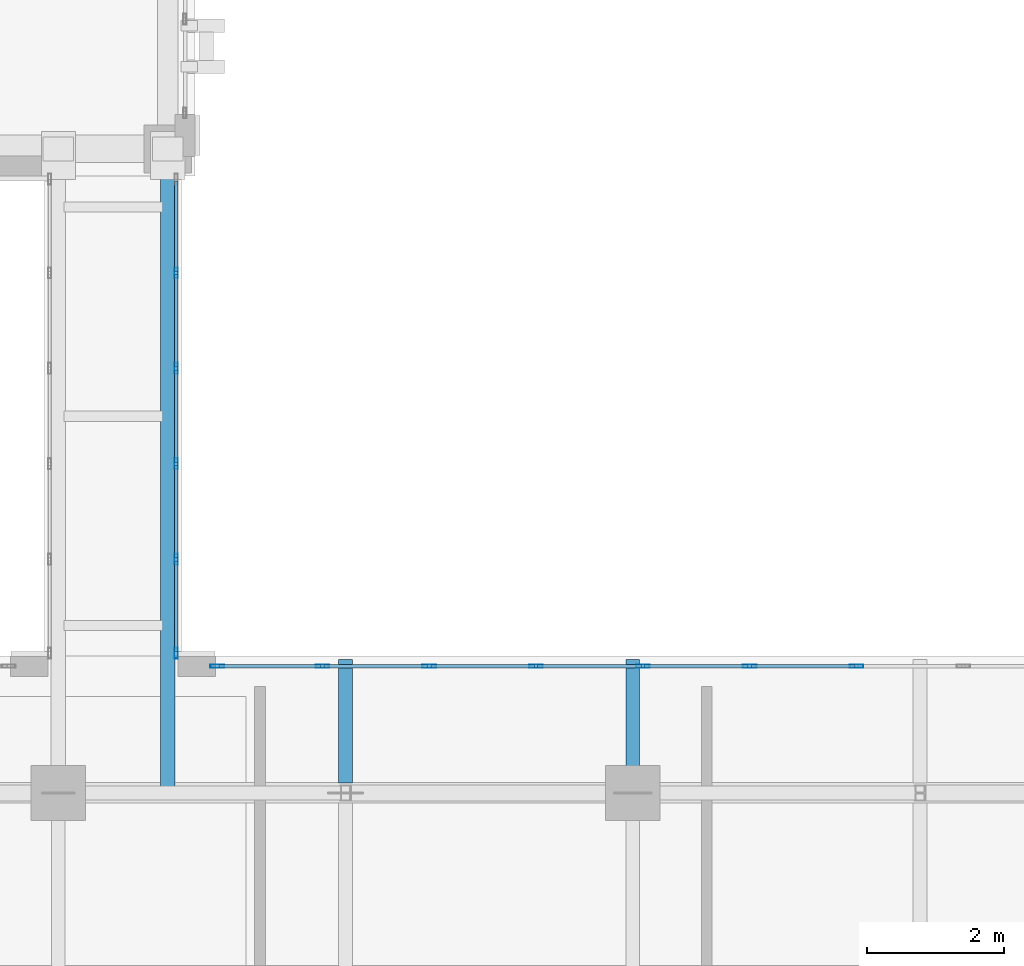
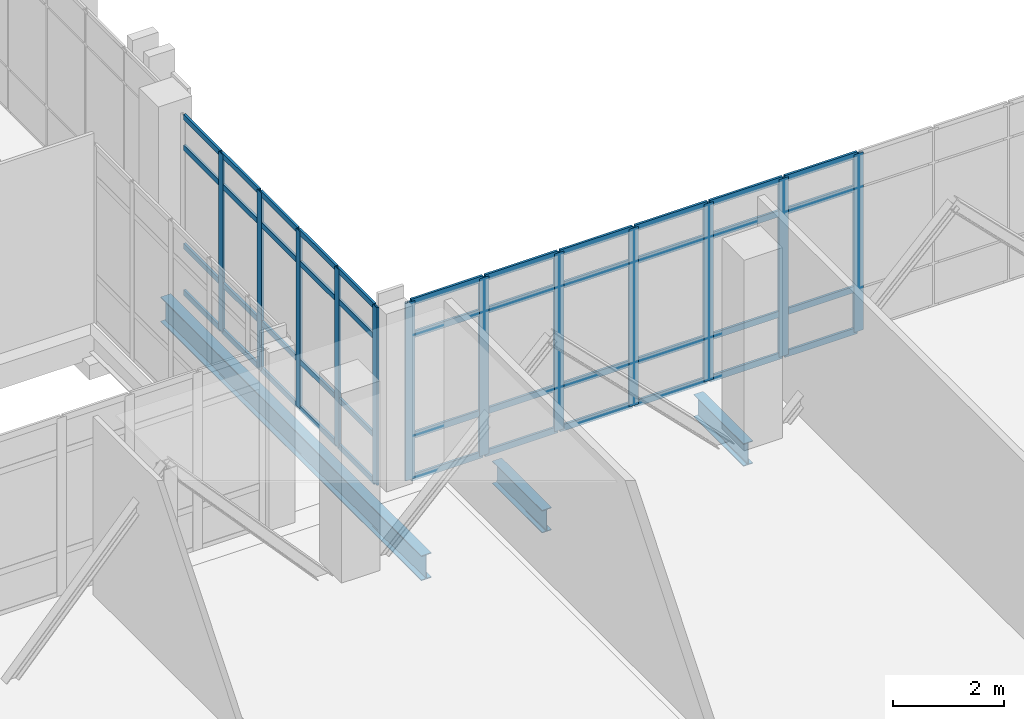
# One storey, part 24 of 165: 56 members, 3 beams, 2 elements without a shape of their own.
"""IFC4 building model written with IfcOpenShell, lengths in metres."""

from ifc_helpers import new_model, si_unit, direction, frame, origin, origin_2d, place, context, subcontext, project, spatial, hollow_rectangle, i_section, extrude, material, layer, layer_set, material_profile, profile_set, type_object, element, aggregate, save


model = new_model("IFC4")

# Units and contexts
model_context = context("Model", 3, precision=1e-05, world=origin(), true_north=direction((0.0, 1.0)))
body_context = subcontext(model_context, "Body", "Model", "MODEL_VIEW")
ifc_project = project(units=[si_unit("LENGTHUNIT", "METRE"), si_unit("AREAUNIT", "SQUARE_METRE"), si_unit("VOLUMEUNIT", "CUBIC_METRE"), si_unit("PLANEANGLEUNIT", "RADIAN"), si_unit("MASSUNIT", "GRAM", prefix="KILO")], contexts=[model_context])

# Site, building, storey
site_placement = place(None, origin())
site = spatial("IfcSite", under=ifc_project, at=site_placement, CompositionType="ELEMENT")
building_placement = place(site_placement, origin())
building = spatial("IfcBuilding", under=site, at=building_placement, Name="Qalavern Law Courts", CompositionType="ELEMENT")
storey_placement = place(building_placement, frame((0.0, 0.0, 14.39990234375)))
storey = spatial("IfcBuildingStorey", under=building, at=storey_placement, Name="L03", CompositionType="ELEMENT", Elevation=14.39990234375)

# Curtain wall, members
ifc_material_1 = material(Name="Anodised aluminium and insulated glazing", Category="aluminium")
ifc_layer_1 = layer(ifc_material_1, 0.14990234375)
ifc_layer_set_1 = layer_set([ifc_layer_1], Name="Anodised aluminium and insulated glazing")
curtain_wall_type_1 = type_object("IfcCurtainWallType", Name="ENV-CW-BRG", PredefinedType="USERDEFINED", material=ifc_layer_set_1)
curtain_wall_1_placement = place(storey_placement, origin())
curtain_wall_1 = element("IfcCurtainWall", 1, at=curtain_wall_1_placement, inside=storey, type_object=curtain_wall_type_1, Name="Bridge BR-V1-V3 glazed curtain wall L03-2", ObjectType="UNITISED CURTAIN WALL", PredefinedType="USERDEFINED")
ifc_material_2 = material(Name="Anodised aluminium", Category="aluminium")
ifc_material_profile_1 = material_profile(ifc_material_2, hollow_rectangle(XDim=0.048095703125, YDim=0.159912109375, WallThickness=0.00390625, at=origin_2d()), Name="ALU MULLION 48x160")
ifc_profile_set_1 = profile_set([ifc_material_profile_1], Name="Anodised aluminium")
member_type_1 = type_object("IfcMemberType", Name="ENV-CWM-48x160", PredefinedType="MULLION", material=ifc_profile_set_1)
member_1_placement = place(storey_placement, frame((18.52490234375, 34.0439453125, 0.0), z_axis=(0.0, 0.0, 1.0), x_axis=(-1.0, 0.0, 0.0)))
member_1 = element("IfcMember", 2, at=member_1_placement, type_object=member_type_1, Name="CW-06 mullion 1", PredefinedType="MULLION", context=body_context, shape_type="SweptSolid", body=[
    extrude(hollow_rectangle(XDim=0.048095703125, YDim=0.159912109375, WallThickness=0.00390625, at=origin_2d()), origin(), (0.0, 0.0, 1.0), 3.920166015625),
])
member_2_placement = place(storey_placement, frame((18.52490234375, 35.416015625, 0.0), z_axis=(0.0, 0.0, 1.0), x_axis=(-1.0, 0.0, 0.0)))
member_2 = element("IfcMember", 3, at=member_2_placement, type_object=member_type_1, Name="CW-06 mullion 2", PredefinedType="MULLION", context=body_context, shape_type="SweptSolid", body=[
    extrude(hollow_rectangle(XDim=0.048095703125, YDim=0.159912109375, WallThickness=0.00390625, at=origin_2d()), origin(), (0.0, 0.0, 1.0), 3.920166015625),
])
member_3_placement = place(storey_placement, frame((18.52490234375, 36.81201171875, 0.0), z_axis=(0.0, 0.0, 1.0), x_axis=(-1.0, 0.0, 0.0)))
member_3 = element("IfcMember", 4, at=member_3_placement, type_object=member_type_1, Name="CW-06 mullion 3", PredefinedType="MULLION", context=body_context, shape_type="SweptSolid", body=[
    extrude(hollow_rectangle(XDim=0.048095703125, YDim=0.159912109375, WallThickness=0.00390625, at=origin_2d()), origin(), (0.0, 0.0, 1.0), 3.920166015625),
])
member_4_placement = place(storey_placement, frame((18.52490234375, 38.2080078125, 0.0), z_axis=(0.0, 0.0, 1.0), x_axis=(-1.0, 0.0, 0.0)))
member_4 = element("IfcMember", 5, at=member_4_placement, type_object=member_type_1, Name="CW-06 mullion 4", PredefinedType="MULLION", context=body_context, shape_type="SweptSolid", body=[
    extrude(hollow_rectangle(XDim=0.048095703125, YDim=0.159912109375, WallThickness=0.00390625, at=origin_2d()), origin(), (0.0, 0.0, 1.0), 3.920166015625),
])
member_5_placement = place(storey_placement, frame((18.52490234375, 39.60400390625, 0.0), z_axis=(0.0, 0.0, 1.0), x_axis=(-1.0, 0.0, 0.0)))
member_5 = element("IfcMember", 6, at=member_5_placement, type_object=member_type_1, Name="CW-06 mullion 5", PredefinedType="MULLION", context=body_context, shape_type="SweptSolid", body=[
    extrude(hollow_rectangle(XDim=0.048095703125, YDim=0.159912109375, WallThickness=0.00390625, at=origin_2d()), origin(), (0.0, 0.0, 1.0), 3.920166015625),
])

ifc_layer_2 = layer(ifc_material_1, 0.199951171875)
ifc_layer_set_2 = layer_set([ifc_layer_2], Name="Anodised aluminium and insulated glazing")
curtain_wall_type_2 = type_object("IfcCurtainWallType", Name="ENV-CW-FOYER", PredefinedType="USERDEFINED", material=ifc_layer_set_2)
curtain_wall_2_placement = place(storey_placement, origin())
curtain_wall_2 = element("IfcCurtainWall", 7, at=curtain_wall_2_placement, inside=storey, type_object=curtain_wall_type_2, Name="V1 unitised curtain wall L03 north 1", ObjectType="UNITISED CURTAIN WALL", PredefinedType="USERDEFINED")
ifc_material_profile_2 = material_profile(ifc_material_2, hollow_rectangle(XDim=0.048095703125, YDim=0.199951171875, WallThickness=0.00439453125, at=origin_2d()), Name="ALU MULLION 48x200")
ifc_profile_set_2 = profile_set([ifc_material_profile_2], Name="Anodised aluminium")
member_type_2 = type_object("IfcMemberType", Name="ENV-CWM-48x200", PredefinedType="MULLION", material=ifc_profile_set_2)
member_6_placement = place(storey_placement, frame((28.473388671875, 33.8525390625, 0.0), z_axis=(0.0, 0.0, 1.0), x_axis=(0.0, -1.0, 0.0)))
member_6 = element("IfcMember", 8, at=member_6_placement, type_object=member_type_2, Name="CW-01 mullion 4", PredefinedType="MULLION", context=body_context, shape_type="SweptSolid", body=[
    extrude(hollow_rectangle(XDim=0.048095703125, YDim=0.199951171875, WallThickness=0.00439453125, at=origin_2d()), origin(), (0.0, 0.0, 1.0), 3.920166015625),
])
member_7_placement = place(storey_placement, frame((26.9111328125, 33.8525390625, 0.0), z_axis=(0.0, 0.0, 1.0), x_axis=(0.0, -1.0, 0.0)))
member_7 = element("IfcMember", 9, at=member_7_placement, type_object=member_type_2, Name="CW-01 mullion 5", PredefinedType="MULLION", context=body_context, shape_type="SweptSolid", body=[
    extrude(hollow_rectangle(XDim=0.048095703125, YDim=0.199951171875, WallThickness=0.00439453125, at=origin_2d()), origin(), (0.0, 0.0, 1.0), 3.920166015625),
])
member_8_placement = place(storey_placement, frame((25.348876953125, 33.8525390625, 0.0), z_axis=(0.0, 0.0, 1.0), x_axis=(0.0, -1.0, 0.0)))
member_8 = element("IfcMember", 10, at=member_8_placement, type_object=member_type_2, Name="CW-01 mullion 6", PredefinedType="MULLION", context=body_context, shape_type="SweptSolid", body=[
    extrude(hollow_rectangle(XDim=0.048095703125, YDim=0.199951171875, WallThickness=0.00439453125, at=origin_2d()), origin(), (0.0, 0.0, 1.0), 3.920166015625),
])
member_9_placement = place(storey_placement, frame((23.78662109375, 33.8525390625, 0.0), z_axis=(0.0, 0.0, 1.0), x_axis=(0.0, -1.0, 0.0)))
member_9 = element("IfcMember", 11, at=member_9_placement, type_object=member_type_2, Name="CW-01 mullion 7", PredefinedType="MULLION", context=body_context, shape_type="SweptSolid", body=[
    extrude(hollow_rectangle(XDim=0.048095703125, YDim=0.199951171875, WallThickness=0.00439453125, at=origin_2d()), origin(), (0.0, 0.0, 1.0), 3.920166015625),
])
member_10_placement = place(storey_placement, frame((22.224365234375, 33.8525390625, 0.0), z_axis=(0.0, 0.0, 1.0), x_axis=(0.0, -1.0, 0.0)))
member_10 = element("IfcMember", 12, at=member_10_placement, type_object=member_type_2, Name="CW-01 mullion 8", PredefinedType="MULLION", context=body_context, shape_type="SweptSolid", body=[
    extrude(hollow_rectangle(XDim=0.048095703125, YDim=0.199951171875, WallThickness=0.00439453125, at=origin_2d()), origin(), (0.0, 0.0, 1.0), 3.920166015625),
])
member_11_placement = place(storey_placement, frame((20.662109375, 33.8525390625, 0.0), z_axis=(0.0, 0.0, 1.0), x_axis=(0.0, -1.0, 0.0)))
member_11 = element("IfcMember", 13, at=member_11_placement, type_object=member_type_2, Name="CW-01 mullion 9", PredefinedType="MULLION", context=body_context, shape_type="SweptSolid", body=[
    extrude(hollow_rectangle(XDim=0.048095703125, YDim=0.199951171875, WallThickness=0.00439453125, at=origin_2d()), origin(), (0.0, 0.0, 1.0), 3.920166015625),
])
member_12_placement = place(storey_placement, frame((19.1240234375, 33.8525390625, 0.0), z_axis=(0.0, 0.0, 1.0), x_axis=(0.0, -1.0, 0.0)))
member_12 = element("IfcMember", 14, at=member_12_placement, type_object=member_type_2, Name="CW-01 mullion 10", PredefinedType="MULLION", context=body_context, shape_type="SweptSolid", body=[
    extrude(hollow_rectangle(XDim=0.048095703125, YDim=0.199951171875, WallThickness=0.00439453125, at=origin_2d()), origin(), (0.0, 0.0, 1.0), 3.920166015625),
])

# Member
ifc_material_profile_3 = material_profile(ifc_material_2, hollow_rectangle(XDim=0.048095703125, YDim=0.1201171875, WallThickness=0.00390625, at=origin_2d()), Name="ALU TRANSOM 48x120")
ifc_profile_set_3 = profile_set([ifc_material_profile_3], Name="Anodised aluminium")
member_type_3 = type_object("IfcMemberType", Name="ENV-CWT-48x120", PredefinedType="USERDEFINED", material=ifc_profile_set_3)
member_13_placement = place(storey_placement, frame((18.52490234375, 34.068115234375, 0.024169921875), z_axis=(0.0, 1.0, 0.0), x_axis=(-1.0, 0.0, 0.0)))
member_13 = element("IfcMember", 15, at=member_13_placement, type_object=member_type_3, Name="CW-06 transom 1.1", ObjectType="TRANSOM", PredefinedType="USERDEFINED", context=body_context, shape_type="SweptSolid", body=[
    extrude(hollow_rectangle(XDim=0.048095703125, YDim=0.1201171875, WallThickness=0.00390625, at=origin_2d()), origin(), (0.0, 0.0, 1.0), 1.323974609375),
])

member_14_placement = place(storey_placement, frame((18.52490234375, 34.068115234375, 1.050048828125), z_axis=(0.0, 1.0, 0.0), x_axis=(-1.0, 0.0, 0.0)))
member_14 = element("IfcMember", 16, at=member_14_placement, type_object=member_type_3, Name="CW-06 transom 1.2", ObjectType="TRANSOM", PredefinedType="USERDEFINED", context=body_context, shape_type="SweptSolid", body=[
    extrude(hollow_rectangle(XDim=0.048095703125, YDim=0.1201171875, WallThickness=0.00390625, at=origin_2d()), origin(), (0.0, 0.0, 1.0), 1.323974609375),
])

member_15_placement = place(storey_placement, frame((18.52490234375, 34.068115234375, 3.22021484375), z_axis=(0.0, 1.0, 0.0), x_axis=(-1.0, 0.0, 0.0)))
member_15 = element("IfcMember", 17, at=member_15_placement, type_object=member_type_3, Name="CW-06 transom 1.3", ObjectType="TRANSOM", PredefinedType="USERDEFINED", context=body_context, shape_type="SweptSolid", body=[
    extrude(hollow_rectangle(XDim=0.048095703125, YDim=0.1201171875, WallThickness=0.00390625, at=origin_2d()), origin(), (0.0, 0.0, 1.0), 1.323974609375),
])

member_16_placement = place(storey_placement, frame((18.52490234375, 34.068115234375, 3.89599609375), z_axis=(0.0, 1.0, 0.0), x_axis=(-1.0, 0.0, 0.0)))
member_16 = element("IfcMember", 18, at=member_16_placement, type_object=member_type_3, Name="CW-06 transom 1.4", ObjectType="TRANSOM", PredefinedType="USERDEFINED", context=body_context, shape_type="SweptSolid", body=[
    extrude(hollow_rectangle(XDim=0.048095703125, YDim=0.1201171875, WallThickness=0.00390625, at=origin_2d()), origin(), (0.0, 0.0, 1.0), 1.323974609375),
])

member_17_placement = place(storey_placement, frame((18.52490234375, 35.43994140625, 0.024169921875), z_axis=(0.0, 1.0, 0.0), x_axis=(-1.0, 0.0, 0.0)))
member_17 = element("IfcMember", 19, at=member_17_placement, type_object=member_type_3, Name="CW-06 transom 2.1", ObjectType="TRANSOM", PredefinedType="USERDEFINED", context=body_context, shape_type="SweptSolid", body=[
    extrude(hollow_rectangle(XDim=0.048095703125, YDim=0.1201171875, WallThickness=0.00390625, at=origin_2d()), origin(), (0.0, 0.0, 1.0), 1.34814453125),
])

member_18_placement = place(storey_placement, frame((18.52490234375, 35.43994140625, 1.050048828125), z_axis=(0.0, 1.0, 0.0), x_axis=(-1.0, 0.0, 0.0)))
member_18 = element("IfcMember", 20, at=member_18_placement, type_object=member_type_3, Name="CW-06 transom 2.2", ObjectType="TRANSOM", PredefinedType="USERDEFINED", context=body_context, shape_type="SweptSolid", body=[
    extrude(hollow_rectangle(XDim=0.048095703125, YDim=0.1201171875, WallThickness=0.00390625, at=origin_2d()), origin(), (0.0, 0.0, 1.0), 1.34814453125),
])

member_19_placement = place(storey_placement, frame((18.52490234375, 35.43994140625, 3.22021484375), z_axis=(0.0, 1.0, 0.0), x_axis=(-1.0, 0.0, 0.0)))
member_19 = element("IfcMember", 21, at=member_19_placement, type_object=member_type_3, Name="CW-06 transom 2.3", ObjectType="TRANSOM", PredefinedType="USERDEFINED", context=body_context, shape_type="SweptSolid", body=[
    extrude(hollow_rectangle(XDim=0.048095703125, YDim=0.1201171875, WallThickness=0.00390625, at=origin_2d()), origin(), (0.0, 0.0, 1.0), 1.34814453125),
])

member_20_placement = place(storey_placement, frame((18.52490234375, 35.43994140625, 3.89599609375), z_axis=(0.0, 1.0, 0.0), x_axis=(-1.0, 0.0, 0.0)))
member_20 = element("IfcMember", 22, at=member_20_placement, type_object=member_type_3, Name="CW-06 transom 2.4", ObjectType="TRANSOM", PredefinedType="USERDEFINED", context=body_context, shape_type="SweptSolid", body=[
    extrude(hollow_rectangle(XDim=0.048095703125, YDim=0.1201171875, WallThickness=0.00390625, at=origin_2d()), origin(), (0.0, 0.0, 1.0), 1.34814453125),
])

member_21_placement = place(storey_placement, frame((18.52490234375, 36.8359375, 0.024169921875), z_axis=(0.0, 1.0, 0.0), x_axis=(-1.0, 0.0, 0.0)))
member_21 = element("IfcMember", 23, at=member_21_placement, type_object=member_type_3, Name="CW-06 transom 3.1", ObjectType="TRANSOM", PredefinedType="USERDEFINED", context=body_context, shape_type="SweptSolid", body=[
    extrude(hollow_rectangle(XDim=0.048095703125, YDim=0.1201171875, WallThickness=0.00390625, at=origin_2d()), origin(), (0.0, 0.0, 1.0), 1.34814453125),
])

member_22_placement = place(storey_placement, frame((18.52490234375, 36.8359375, 1.050048828125), z_axis=(0.0, 1.0, 0.0), x_axis=(-1.0, 0.0, 0.0)))
member_22 = element("IfcMember", 24, at=member_22_placement, type_object=member_type_3, Name="CW-06 transom 3.2", ObjectType="TRANSOM", PredefinedType="USERDEFINED", context=body_context, shape_type="SweptSolid", body=[
    extrude(hollow_rectangle(XDim=0.048095703125, YDim=0.1201171875, WallThickness=0.00390625, at=origin_2d()), origin(), (0.0, 0.0, 1.0), 1.34814453125),
])

member_23_placement = place(storey_placement, frame((18.52490234375, 36.8359375, 3.22021484375), z_axis=(0.0, 1.0, 0.0), x_axis=(-1.0, 0.0, 0.0)))
member_23 = element("IfcMember", 25, at=member_23_placement, type_object=member_type_3, Name="CW-06 transom 3.3", ObjectType="TRANSOM", PredefinedType="USERDEFINED", context=body_context, shape_type="SweptSolid", body=[
    extrude(hollow_rectangle(XDim=0.048095703125, YDim=0.1201171875, WallThickness=0.00390625, at=origin_2d()), origin(), (0.0, 0.0, 1.0), 1.34814453125),
])

member_24_placement = place(storey_placement, frame((18.52490234375, 36.8359375, 3.89599609375), z_axis=(0.0, 1.0, 0.0), x_axis=(-1.0, 0.0, 0.0)))
member_24 = element("IfcMember", 26, at=member_24_placement, type_object=member_type_3, Name="CW-06 transom 3.4", ObjectType="TRANSOM", PredefinedType="USERDEFINED", context=body_context, shape_type="SweptSolid", body=[
    extrude(hollow_rectangle(XDim=0.048095703125, YDim=0.1201171875, WallThickness=0.00390625, at=origin_2d()), origin(), (0.0, 0.0, 1.0), 1.34814453125),
])

member_25_placement = place(storey_placement, frame((18.52490234375, 38.23193359375, 0.024169921875), z_axis=(0.0, 1.0, 0.0), x_axis=(-1.0, 0.0, 0.0)))
member_25 = element("IfcMember", 27, at=member_25_placement, type_object=member_type_3, Name="CW-06 transom 4.1", ObjectType="TRANSOM", PredefinedType="USERDEFINED", context=body_context, shape_type="SweptSolid", body=[
    extrude(hollow_rectangle(XDim=0.048095703125, YDim=0.1201171875, WallThickness=0.00390625, at=origin_2d()), origin(), (0.0, 0.0, 1.0), 1.34814453125),
])

member_26_placement = place(storey_placement, frame((18.52490234375, 38.23193359375, 1.050048828125), z_axis=(0.0, 1.0, 0.0), x_axis=(-1.0, 0.0, 0.0)))
member_26 = element("IfcMember", 28, at=member_26_placement, type_object=member_type_3, Name="CW-06 transom 4.2", ObjectType="TRANSOM", PredefinedType="USERDEFINED", context=body_context, shape_type="SweptSolid", body=[
    extrude(hollow_rectangle(XDim=0.048095703125, YDim=0.1201171875, WallThickness=0.00390625, at=origin_2d()), origin(), (0.0, 0.0, 1.0), 1.34814453125),
])

member_27_placement = place(storey_placement, frame((18.52490234375, 38.23193359375, 3.22021484375), z_axis=(0.0, 1.0, 0.0), x_axis=(-1.0, 0.0, 0.0)))
member_27 = element("IfcMember", 29, at=member_27_placement, type_object=member_type_3, Name="CW-06 transom 4.3", ObjectType="TRANSOM", PredefinedType="USERDEFINED", context=body_context, shape_type="SweptSolid", body=[
    extrude(hollow_rectangle(XDim=0.048095703125, YDim=0.1201171875, WallThickness=0.00390625, at=origin_2d()), origin(), (0.0, 0.0, 1.0), 1.34814453125),
])

member_28_placement = place(storey_placement, frame((18.52490234375, 38.23193359375, 3.89599609375), z_axis=(0.0, 1.0, 0.0), x_axis=(-1.0, 0.0, 0.0)))
member_28 = element("IfcMember", 30, at=member_28_placement, type_object=member_type_3, Name="CW-06 transom 4.4", ObjectType="TRANSOM", PredefinedType="USERDEFINED", context=body_context, shape_type="SweptSolid", body=[
    extrude(hollow_rectangle(XDim=0.048095703125, YDim=0.1201171875, WallThickness=0.00390625, at=origin_2d()), origin(), (0.0, 0.0, 1.0), 1.34814453125),
])

member_29_placement = place(storey_placement, frame((18.52490234375, 39.6279296875, 0.024169921875), z_axis=(0.0, 1.0, 0.0), x_axis=(-1.0, 0.0, 0.0)))
member_29 = element("IfcMember", 31, at=member_29_placement, type_object=member_type_3, Name="CW-06 transom 5.1", ObjectType="TRANSOM", PredefinedType="USERDEFINED", context=body_context, shape_type="SweptSolid", body=[
    extrude(hollow_rectangle(XDim=0.048095703125, YDim=0.1201171875, WallThickness=0.00390625, at=origin_2d()), origin(), (0.0, 0.0, 1.0), 1.323974609375),
])

member_30_placement = place(storey_placement, frame((18.52490234375, 39.6279296875, 1.050048828125), z_axis=(0.0, 1.0, 0.0), x_axis=(-1.0, 0.0, 0.0)))
member_30 = element("IfcMember", 32, at=member_30_placement, type_object=member_type_3, Name="CW-06 transom 5.2", ObjectType="TRANSOM", PredefinedType="USERDEFINED", context=body_context, shape_type="SweptSolid", body=[
    extrude(hollow_rectangle(XDim=0.048095703125, YDim=0.1201171875, WallThickness=0.00390625, at=origin_2d()), origin(), (0.0, 0.0, 1.0), 1.323974609375),
])

member_31_placement = place(storey_placement, frame((18.52490234375, 39.6279296875, 3.22021484375), z_axis=(0.0, 1.0, 0.0), x_axis=(-1.0, 0.0, 0.0)))
member_31 = element("IfcMember", 33, at=member_31_placement, type_object=member_type_3, Name="CW-06 transom 5.3", ObjectType="TRANSOM", PredefinedType="USERDEFINED", context=body_context, shape_type="SweptSolid", body=[
    extrude(hollow_rectangle(XDim=0.048095703125, YDim=0.1201171875, WallThickness=0.00390625, at=origin_2d()), origin(), (0.0, 0.0, 1.0), 1.323974609375),
])

member_32_placement = place(storey_placement, frame((18.52490234375, 39.6279296875, 3.89599609375), z_axis=(0.0, 1.0, 0.0), x_axis=(-1.0, 0.0, 0.0)))
member_32 = element("IfcMember", 34, at=member_32_placement, type_object=member_type_3, Name="CW-06 transom 5.4", ObjectType="TRANSOM", PredefinedType="USERDEFINED", context=body_context, shape_type="SweptSolid", body=[
    extrude(hollow_rectangle(XDim=0.048095703125, YDim=0.1201171875, WallThickness=0.00390625, at=origin_2d()), origin(), (0.0, 0.0, 1.0), 1.323974609375),
])

aggregate(curtain_wall_1, [member_1, member_2, member_3, member_4, member_5, member_13, member_14, member_15, member_16, member_17, member_18, member_19, member_20, member_21, member_22, member_23, member_24, member_25, member_26, member_27, member_28, member_29, member_30, member_31, member_32])

ifc_material_profile_4 = material_profile(ifc_material_2, hollow_rectangle(XDim=0.048095703125, YDim=0.139892578125, WallThickness=0.00390625, at=origin_2d()), Name="ALU TRANSOM 48x140")
ifc_profile_set_4 = profile_set([ifc_material_profile_4], Name="Anodised aluminium")
member_type_4 = type_object("IfcMemberType", Name="ENV-CWT-48x140", PredefinedType="USERDEFINED", material=ifc_profile_set_4)
member_33_placement = place(storey_placement, frame((28.44921875, 33.8525390625, 0.024169921875), z_axis=(-1.0, 0.0, 0.0), x_axis=(0.0, -1.0, 0.0)))
member_33 = element("IfcMember", 35, at=member_33_placement, type_object=member_type_4, Name="CW-01 transom 4.1", ObjectType="TRANSOM", PredefinedType="USERDEFINED", context=body_context, shape_type="SweptSolid", body=[
    extrude(hollow_rectangle(XDim=0.048095703125, YDim=0.139892578125, WallThickness=0.00390625, at=origin_2d()), origin(), (0.0, 0.0, 1.0), 1.51416015625),
])

member_34_placement = place(storey_placement, frame((28.44921875, 33.8525390625, 0.9501953125), z_axis=(-1.0, 0.0, 0.0), x_axis=(0.0, -1.0, 0.0)))
member_34 = element("IfcMember", 36, at=member_34_placement, type_object=member_type_4, Name="CW-01 transom 4.2", ObjectType="TRANSOM", PredefinedType="USERDEFINED", context=body_context, shape_type="SweptSolid", body=[
    extrude(hollow_rectangle(XDim=0.048095703125, YDim=0.139892578125, WallThickness=0.00390625, at=origin_2d()), origin(), (0.0, 0.0, 1.0), 1.51416015625),
])

member_35_placement = place(storey_placement, frame((28.44921875, 33.8525390625, 3.170166015625), z_axis=(-1.0, 0.0, 0.0), x_axis=(0.0, -1.0, 0.0)))
member_35 = element("IfcMember", 37, at=member_35_placement, type_object=member_type_4, Name="CW-01 transom 4.3", ObjectType="TRANSOM", PredefinedType="USERDEFINED", context=body_context, shape_type="SweptSolid", body=[
    extrude(hollow_rectangle(XDim=0.048095703125, YDim=0.139892578125, WallThickness=0.00390625, at=origin_2d()), origin(), (0.0, 0.0, 1.0), 1.51416015625),
])

member_36_placement = place(storey_placement, frame((28.44921875, 33.8525390625, 3.89599609375), z_axis=(-1.0, 0.0, 0.0), x_axis=(0.0, -1.0, 0.0)))
member_36 = element("IfcMember", 38, at=member_36_placement, type_object=member_type_4, Name="CW-01 transom 4.4", ObjectType="TRANSOM", PredefinedType="USERDEFINED", context=body_context, shape_type="SweptSolid", body=[
    extrude(hollow_rectangle(XDim=0.048095703125, YDim=0.139892578125, WallThickness=0.00390625, at=origin_2d()), origin(), (0.0, 0.0, 1.0), 1.51416015625),
])

member_37_placement = place(storey_placement, frame((26.88720703125, 33.8525390625, 0.024169921875), z_axis=(-1.0, 0.0, 0.0), x_axis=(0.0, -1.0, 0.0)))
member_37 = element("IfcMember", 39, at=member_37_placement, type_object=member_type_4, Name="CW-01 transom 5.1", ObjectType="TRANSOM", PredefinedType="USERDEFINED", context=body_context, shape_type="SweptSolid", body=[
    extrude(hollow_rectangle(XDim=0.048095703125, YDim=0.139892578125, WallThickness=0.00390625, at=origin_2d()), origin(), (0.0, 0.0, 1.0), 1.514404296875),
])

member_38_placement = place(storey_placement, frame((26.88720703125, 33.8525390625, 0.9501953125), z_axis=(-1.0, 0.0, 0.0), x_axis=(0.0, -1.0, 0.0)))
member_38 = element("IfcMember", 40, at=member_38_placement, type_object=member_type_4, Name="CW-01 transom 5.2", ObjectType="TRANSOM", PredefinedType="USERDEFINED", context=body_context, shape_type="SweptSolid", body=[
    extrude(hollow_rectangle(XDim=0.048095703125, YDim=0.139892578125, WallThickness=0.00390625, at=origin_2d()), origin(), (0.0, 0.0, 1.0), 1.514404296875),
])

member_39_placement = place(storey_placement, frame((26.88720703125, 33.8525390625, 3.170166015625), z_axis=(-1.0, 0.0, 0.0), x_axis=(0.0, -1.0, 0.0)))
member_39 = element("IfcMember", 41, at=member_39_placement, type_object=member_type_4, Name="CW-01 transom 5.3", ObjectType="TRANSOM", PredefinedType="USERDEFINED", context=body_context, shape_type="SweptSolid", body=[
    extrude(hollow_rectangle(XDim=0.048095703125, YDim=0.139892578125, WallThickness=0.00390625, at=origin_2d()), origin(), (0.0, 0.0, 1.0), 1.514404296875),
])

member_40_placement = place(storey_placement, frame((26.88720703125, 33.8525390625, 3.89599609375), z_axis=(-1.0, 0.0, 0.0), x_axis=(0.0, -1.0, 0.0)))
member_40 = element("IfcMember", 42, at=member_40_placement, type_object=member_type_4, Name="CW-01 transom 5.4", ObjectType="TRANSOM", PredefinedType="USERDEFINED", context=body_context, shape_type="SweptSolid", body=[
    extrude(hollow_rectangle(XDim=0.048095703125, YDim=0.139892578125, WallThickness=0.00390625, at=origin_2d()), origin(), (0.0, 0.0, 1.0), 1.514404296875),
])

member_41_placement = place(storey_placement, frame((25.324951171875, 33.8525390625, 0.024169921875), z_axis=(-1.0, 0.0, 0.0), x_axis=(0.0, -1.0, 0.0)))
member_41 = element("IfcMember", 43, at=member_41_placement, type_object=member_type_4, Name="CW-01 transom 6.1", ObjectType="TRANSOM", PredefinedType="USERDEFINED", context=body_context, shape_type="SweptSolid", body=[
    extrude(hollow_rectangle(XDim=0.048095703125, YDim=0.139892578125, WallThickness=0.00390625, at=origin_2d()), origin(), (0.0, 0.0, 1.0), 1.514404296875),
])

member_42_placement = place(storey_placement, frame((25.324951171875, 33.8525390625, 0.9501953125), z_axis=(-1.0, 0.0, 0.0), x_axis=(0.0, -1.0, 0.0)))
member_42 = element("IfcMember", 44, at=member_42_placement, type_object=member_type_4, Name="CW-01 transom 6.2", ObjectType="TRANSOM", PredefinedType="USERDEFINED", context=body_context, shape_type="SweptSolid", body=[
    extrude(hollow_rectangle(XDim=0.048095703125, YDim=0.139892578125, WallThickness=0.00390625, at=origin_2d()), origin(), (0.0, 0.0, 1.0), 1.514404296875),
])

member_43_placement = place(storey_placement, frame((25.324951171875, 33.8525390625, 3.170166015625), z_axis=(-1.0, 0.0, 0.0), x_axis=(0.0, -1.0, 0.0)))
member_43 = element("IfcMember", 45, at=member_43_placement, type_object=member_type_4, Name="CW-01 transom 6.3", ObjectType="TRANSOM", PredefinedType="USERDEFINED", context=body_context, shape_type="SweptSolid", body=[
    extrude(hollow_rectangle(XDim=0.048095703125, YDim=0.139892578125, WallThickness=0.00390625, at=origin_2d()), origin(), (0.0, 0.0, 1.0), 1.514404296875),
])

member_44_placement = place(storey_placement, frame((25.324951171875, 33.8525390625, 3.89599609375), z_axis=(-1.0, 0.0, 0.0), x_axis=(0.0, -1.0, 0.0)))
member_44 = element("IfcMember", 46, at=member_44_placement, type_object=member_type_4, Name="CW-01 transom 6.4", ObjectType="TRANSOM", PredefinedType="USERDEFINED", context=body_context, shape_type="SweptSolid", body=[
    extrude(hollow_rectangle(XDim=0.048095703125, YDim=0.139892578125, WallThickness=0.00390625, at=origin_2d()), origin(), (0.0, 0.0, 1.0), 1.514404296875),
])

member_45_placement = place(storey_placement, frame((23.7626953125, 33.8525390625, 0.024169921875), z_axis=(-1.0, 0.0, 0.0), x_axis=(0.0, -1.0, 0.0)))
member_45 = element("IfcMember", 47, at=member_45_placement, type_object=member_type_4, Name="CW-01 transom 7.1", ObjectType="TRANSOM", PredefinedType="USERDEFINED", context=body_context, shape_type="SweptSolid", body=[
    extrude(hollow_rectangle(XDim=0.048095703125, YDim=0.139892578125, WallThickness=0.00390625, at=origin_2d()), origin(), (0.0, 0.0, 1.0), 1.51416015625),
])

member_46_placement = place(storey_placement, frame((23.7626953125, 33.8525390625, 0.9501953125), z_axis=(-1.0, 0.0, 0.0), x_axis=(0.0, -1.0, 0.0)))
member_46 = element("IfcMember", 48, at=member_46_placement, type_object=member_type_4, Name="CW-01 transom 7.2", ObjectType="TRANSOM", PredefinedType="USERDEFINED", context=body_context, shape_type="SweptSolid", body=[
    extrude(hollow_rectangle(XDim=0.048095703125, YDim=0.139892578125, WallThickness=0.00390625, at=origin_2d()), origin(), (0.0, 0.0, 1.0), 1.51416015625),
])

member_47_placement = place(storey_placement, frame((23.7626953125, 33.8525390625, 3.170166015625), z_axis=(-1.0, 0.0, 0.0), x_axis=(0.0, -1.0, 0.0)))
member_47 = element("IfcMember", 49, at=member_47_placement, type_object=member_type_4, Name="CW-01 transom 7.3", ObjectType="TRANSOM", PredefinedType="USERDEFINED", context=body_context, shape_type="SweptSolid", body=[
    extrude(hollow_rectangle(XDim=0.048095703125, YDim=0.139892578125, WallThickness=0.00390625, at=origin_2d()), origin(), (0.0, 0.0, 1.0), 1.51416015625),
])

member_48_placement = place(storey_placement, frame((23.7626953125, 33.8525390625, 3.89599609375), z_axis=(-1.0, 0.0, 0.0), x_axis=(0.0, -1.0, 0.0)))
member_48 = element("IfcMember", 50, at=member_48_placement, type_object=member_type_4, Name="CW-01 transom 7.4", ObjectType="TRANSOM", PredefinedType="USERDEFINED", context=body_context, shape_type="SweptSolid", body=[
    extrude(hollow_rectangle(XDim=0.048095703125, YDim=0.139892578125, WallThickness=0.00390625, at=origin_2d()), origin(), (0.0, 0.0, 1.0), 1.51416015625),
])

member_49_placement = place(storey_placement, frame((22.200439453125, 33.8525390625, 0.024169921875), z_axis=(-1.0, 0.0, 0.0), x_axis=(0.0, -1.0, 0.0)))
member_49 = element("IfcMember", 51, at=member_49_placement, type_object=member_type_4, Name="CW-01 transom 8.1", ObjectType="TRANSOM", PredefinedType="USERDEFINED", context=body_context, shape_type="SweptSolid", body=[
    extrude(hollow_rectangle(XDim=0.048095703125, YDim=0.139892578125, WallThickness=0.00390625, at=origin_2d()), origin(), (0.0, 0.0, 1.0), 1.51416015625),
])

member_50_placement = place(storey_placement, frame((22.200439453125, 33.8525390625, 0.9501953125), z_axis=(-1.0, 0.0, 0.0), x_axis=(0.0, -1.0, 0.0)))
member_50 = element("IfcMember", 52, at=member_50_placement, type_object=member_type_4, Name="CW-01 transom 8.2", ObjectType="TRANSOM", PredefinedType="USERDEFINED", context=body_context, shape_type="SweptSolid", body=[
    extrude(hollow_rectangle(XDim=0.048095703125, YDim=0.139892578125, WallThickness=0.00390625, at=origin_2d()), origin(), (0.0, 0.0, 1.0), 1.51416015625),
])

member_51_placement = place(storey_placement, frame((22.200439453125, 33.8525390625, 3.170166015625), z_axis=(-1.0, 0.0, 0.0), x_axis=(0.0, -1.0, 0.0)))
member_51 = element("IfcMember", 53, at=member_51_placement, type_object=member_type_4, Name="CW-01 transom 8.3", ObjectType="TRANSOM", PredefinedType="USERDEFINED", context=body_context, shape_type="SweptSolid", body=[
    extrude(hollow_rectangle(XDim=0.048095703125, YDim=0.139892578125, WallThickness=0.00390625, at=origin_2d()), origin(), (0.0, 0.0, 1.0), 1.51416015625),
])

member_52_placement = place(storey_placement, frame((22.200439453125, 33.8525390625, 3.89599609375), z_axis=(-1.0, 0.0, 0.0), x_axis=(0.0, -1.0, 0.0)))
member_52 = element("IfcMember", 54, at=member_52_placement, type_object=member_type_4, Name="CW-01 transom 8.4", ObjectType="TRANSOM", PredefinedType="USERDEFINED", context=body_context, shape_type="SweptSolid", body=[
    extrude(hollow_rectangle(XDim=0.048095703125, YDim=0.139892578125, WallThickness=0.00390625, at=origin_2d()), origin(), (0.0, 0.0, 1.0), 1.51416015625),
])

member_53_placement = place(storey_placement, frame((20.63818359375, 33.8525390625, 0.024169921875), z_axis=(-1.0, 0.0, 0.0), x_axis=(0.0, -1.0, 0.0)))
member_53 = element("IfcMember", 55, at=member_53_placement, type_object=member_type_4, Name="CW-01 transom 9.1", ObjectType="TRANSOM", PredefinedType="USERDEFINED", context=body_context, shape_type="SweptSolid", body=[
    extrude(hollow_rectangle(XDim=0.048095703125, YDim=0.139892578125, WallThickness=0.00390625, at=origin_2d()), origin(), (0.0, 0.0, 1.0), 1.490234375),
])

member_54_placement = place(storey_placement, frame((20.63818359375, 33.8525390625, 0.9501953125), z_axis=(-1.0, 0.0, 0.0), x_axis=(0.0, -1.0, 0.0)))
member_54 = element("IfcMember", 56, at=member_54_placement, type_object=member_type_4, Name="CW-01 transom 9.2", ObjectType="TRANSOM", PredefinedType="USERDEFINED", context=body_context, shape_type="SweptSolid", body=[
    extrude(hollow_rectangle(XDim=0.048095703125, YDim=0.139892578125, WallThickness=0.00390625, at=origin_2d()), origin(), (0.0, 0.0, 1.0), 1.490234375),
])

member_55_placement = place(storey_placement, frame((20.63818359375, 33.8525390625, 3.170166015625), z_axis=(-1.0, 0.0, 0.0), x_axis=(0.0, -1.0, 0.0)))
member_55 = element("IfcMember", 57, at=member_55_placement, type_object=member_type_4, Name="CW-01 transom 9.3", ObjectType="TRANSOM", PredefinedType="USERDEFINED", context=body_context, shape_type="SweptSolid", body=[
    extrude(hollow_rectangle(XDim=0.048095703125, YDim=0.139892578125, WallThickness=0.00390625, at=origin_2d()), origin(), (0.0, 0.0, 1.0), 1.490234375),
])

member_56_placement = place(storey_placement, frame((20.63818359375, 33.8525390625, 3.89599609375), z_axis=(-1.0, 0.0, 0.0), x_axis=(0.0, -1.0, 0.0)))
member_56 = element("IfcMember", 58, at=member_56_placement, type_object=member_type_4, Name="CW-01 transom 9.4", ObjectType="TRANSOM", PredefinedType="USERDEFINED", context=body_context, shape_type="SweptSolid", body=[
    extrude(hollow_rectangle(XDim=0.048095703125, YDim=0.139892578125, WallThickness=0.00390625, at=origin_2d()), origin(), (0.0, 0.0, 1.0), 1.490234375),
])

aggregate(curtain_wall_2, [member_6, member_7, member_8, member_9, member_10, member_11, member_12, member_33, member_34, member_35, member_36, member_37, member_38, member_39, member_40, member_41, member_42, member_43, member_44, member_45, member_46, member_47, member_48, member_49, member_50, member_51, member_52, member_53, member_54, member_55, member_56])

# Beams
ifc_material_3 = material(Name="Steel S355", Category="steel")
ifc_material_profile_5 = material_profile(ifc_material_3, i_section(OverallWidth=0.199951171875, OverallDepth=0.5, WebThickness=0.01025390625, FlangeThickness=0.01611328125, FilletRadius=0.02099609375, at=origin_2d()), Name="IPE 500")
ifc_profile_set_5 = profile_set([ifc_material_profile_5], Name="Steel S355")
beam_type_1 = type_object("IfcBeamType", Name="STR-BM-IPE500", PredefinedType="BEAM", material=ifc_profile_set_5)
for number, where, z_axis, x_axis, name in (
    (59, (25.199951171875, 32.14794921875, -0.534912109375), (0.0, 1.0, 0.0), (-1.0, 0.0, 0.0), "Foyer transverse beam L03-3.4"),
    (60, (21.0, 32.14794921875, -0.534912109375), (0.0, 1.0, 0.0), (-1.0, 0.0, 0.0), "Foyer transverse beam L03-4.4"),
):
    element("IfcBeam", number, at=place(storey_placement, frame(where, z_axis=z_axis, x_axis=x_axis)), inside=storey, type_object=beam_type_1, Name=name, PredefinedType="BEAM", context=body_context, shape_type="SweptSolid", body=[
        extrude(i_section(OverallWidth=0.199951171875, OverallDepth=0.5, WebThickness=0.01025390625, FlangeThickness=0.01611328125, FilletRadius=0.02099609375, at=origin_2d()), origin(), (0.0, 0.0, 1.0), 1.802001953125),
    ])
ifc_material_profile_6 = material_profile(ifc_material_3, i_section(OverallWidth=0.2099609375, OverallDepth=0.550048828125, WebThickness=0.010986328125, FlangeThickness=0.01708984375, FilletRadius=0.02392578125, at=origin_2d()), Name="IPE 550")
ifc_profile_set_6 = profile_set([ifc_material_profile_6], Name="Steel S355")
beam_type_2 = type_object("IfcBeamType", Name="STR-BM-IPE550", PredefinedType="BEAM", material=ifc_profile_set_6)
beam_placement = place(storey_placement, frame((18.39990234375, 32.0, -0.559814453125), z_axis=(0.0, 1.0, 0.0), x_axis=(-1.0, 0.0, 0.0)))
element("IfcBeam", 61, at=beam_placement, inside=storey, type_object=beam_type_2, Name="Bridge BR-V1-V3 edge girder 2 L03", PredefinedType="BEAM", context=body_context, shape_type="SweptSolid", body=[
    extrude(i_section(OverallWidth=0.2099609375, OverallDepth=0.550048828125, WebThickness=0.010986328125, FlangeThickness=0.01708984375, FilletRadius=0.02392578125, at=origin_2d()), origin(), (0.0, 0.0, 1.0), 9.419921875),
])

save(model, "model.ifc")
